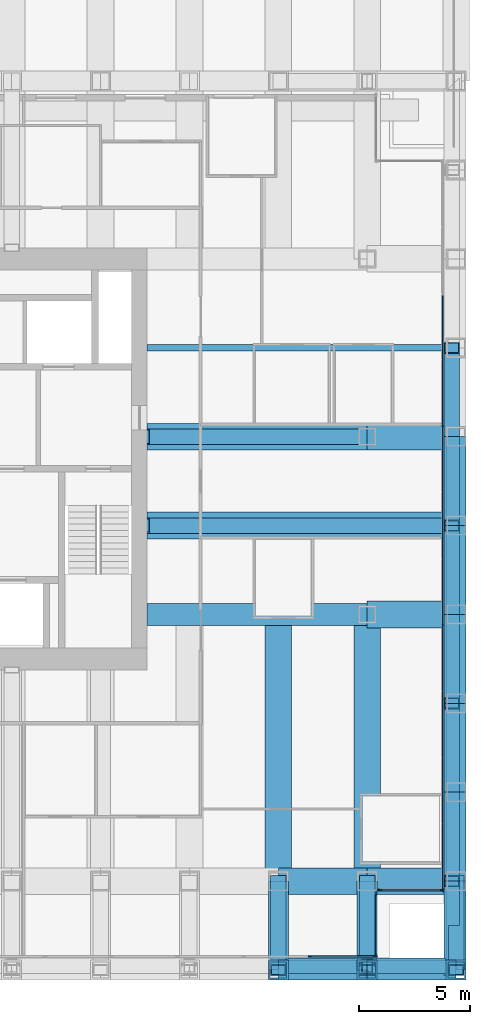
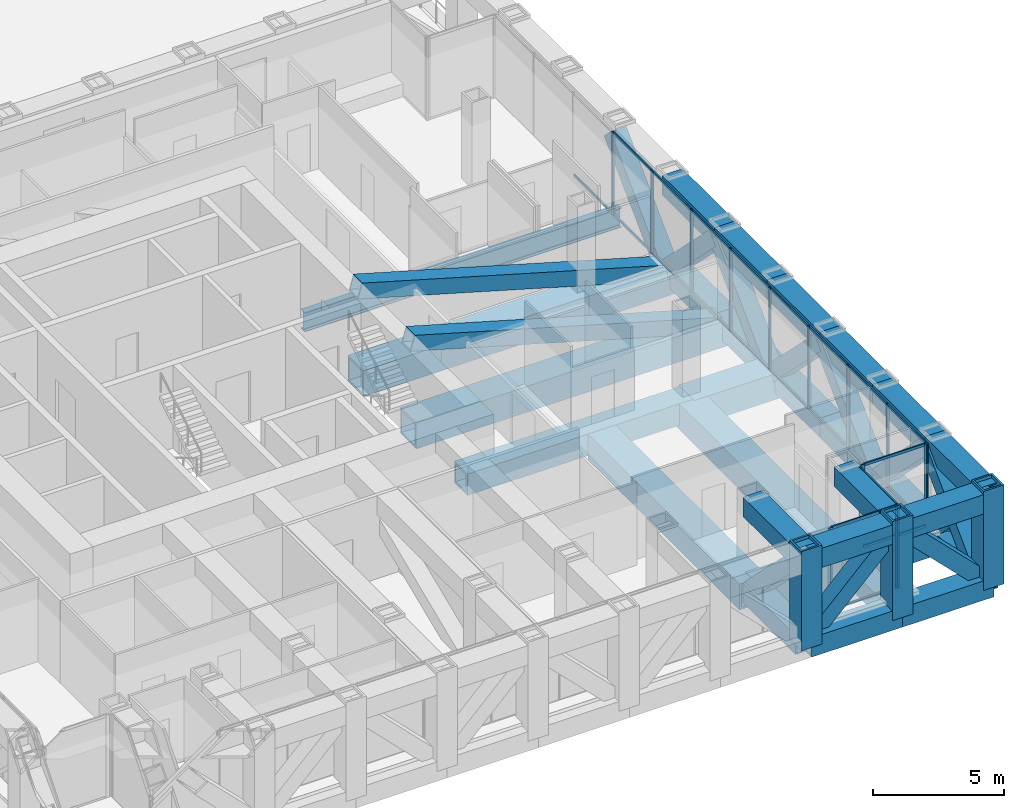
# One storey, part 5 of 17: 55 members, 30 beams, 4 elements without a shape of their own.
"""IFC4 building model written with IfcOpenShell, lengths in metres."""

import ifcopenshell
import ifcopenshell.guid

model = None  # the IFC model being written
_history = None  # IfcOwnerHistory: only IFC2X3 demands one
_inside = {}  # id of a spatial element -> (the spatial element, [elements in it])
_under = {}  # id of a project, library or spatial element -> (it, [spatial elements below it])
_declared = {}  # id of a project -> (the project, [libraries it declares])
_typed = {}  # id of a type object -> (the type object, [elements of that type])
_made_of = {}  # id of a material, layer set ... -> (it, [elements and type objects made of it])


def new_model(schema):
    """Start an empty IFC model of exactly this schema.

    Asked for "IFC4X3", IfcOpenShell would pick the latest addendum, in which some entities
    have other attributes; the version numbers below select the first issue.
    IFC2X3 requires an IfcOwnerHistory on every rooted entity: one is made here for all.
    """
    global model, _history
    if schema == "IFC4X3":
        model = ifcopenshell.file(schema_version=(4, 3, 0, 0))
    else:
        model = ifcopenshell.file(schema=schema)
    _inside.clear()
    _under.clear()
    _declared.clear()
    _typed.clear()
    _made_of.clear()
    _history = None
    if model.schema == "IFC2X3":
        org = make("IfcOrganization", Name="unknown")
        user = make(
            "IfcPersonAndOrganization",
            ThePerson=make("IfcPerson", FamilyName="unknown"),
            TheOrganization=org,
        )
        app = make(
            "IfcApplication",
            ApplicationDeveloper=org,
            Version="unknown",
            ApplicationFullName="unknown",
            ApplicationIdentifier="unknown",
        )
        _history = make(
            "IfcOwnerHistory",
            OwningUser=user,
            OwningApplication=app,
            ChangeAction="ADDED",
            CreationDate=0,
        )
    return model


def make(cls, **values):
    """One entity of the class cls with the attributes given. An attribute that is None is left unset."""
    return model.create_entity(
        cls, **{name: value for name, value in values.items() if value is not None}
    )


def rooted(cls, **values):
    """An entity with a GlobalId (a new one), such as an element, a storey or a relation."""
    return make(cls, GlobalId=ifcopenshell.guid.new(), OwnerHistory=_history, **values)


def si_unit(unit_type, name, prefix=None):
    """IfcSIUnit, for example si_unit("LENGTHUNIT", "METRE", prefix="MILLI")."""
    return make("IfcSIUnit", UnitType=unit_type, Prefix=prefix, Name=name)


def assignment(units):
    """IfcUnitAssignment: the units of a project."""
    return None if units is None else make("IfcUnitAssignment", Units=units)


def point(xyz):
    """IfcCartesianPoint."""
    return None if xyz is None else make("IfcCartesianPoint", Coordinates=xyz)


def direction(xyz):
    """IfcDirection."""
    return None if xyz is None else make("IfcDirection", DirectionRatios=xyz)


def frame(location, z_axis=None, x_axis=None):
    """IfcAxis2Placement3D, a coordinate frame: its origin and axes. An axis left out is left unset."""
    return make(
        "IfcAxis2Placement3D",
        Location=point(location),
        Axis=direction(z_axis),
        RefDirection=direction(x_axis),
    )


def frame_2d(location, x_axis=None):
    """IfcAxis2Placement2D, a coordinate frame in the plane: its origin and x axis."""
    return make(
        "IfcAxis2Placement2D", Location=point(location), RefDirection=direction(x_axis)
    )


def origin():
    """The frame at (0, 0, 0) with its axes left unset."""
    return frame((0.0, 0.0, 0.0))


def origin_2d():
    """The frame at (0, 0) in the plane with its x axis left unset."""
    return frame_2d((0.0, 0.0))


def place(relative_to, where):
    """IfcLocalPlacement: puts the frame where relative to a parent placement (None: the world)."""
    return make(
        "IfcLocalPlacement", PlacementRelTo=relative_to, RelativePlacement=where
    )


def context(
    kind, dimensions, precision=None, world=None, true_north=None, identifier=None
):
    """IfcGeometricRepresentationContext, for example the 3D "Model" context."""
    return make(
        "IfcGeometricRepresentationContext",
        ContextIdentifier=identifier,
        ContextType=kind,
        CoordinateSpaceDimension=dimensions,
        Precision=precision,
        WorldCoordinateSystem=world,
        TrueNorth=true_north,
    )


def subcontext(parent, identifier, kind, view, scale=None):
    """IfcGeometricRepresentationSubContext, for example "Body" below "Model"."""
    return make(
        "IfcGeometricRepresentationSubContext",
        ContextIdentifier=identifier,
        ContextType=kind,
        ParentContext=parent,
        TargetScale=scale,
        TargetView=view,
    )


def project(units=None, contexts=None):
    """IfcProject with its units and contexts."""
    return rooted(
        "IfcProject",
        Name="project",
        RepresentationContexts=contexts,
        UnitsInContext=assignment(units),
    )


def spatial(cls, under=None, at=None, **own):
    """A site, building, storey or space (cls), placed at a placement, below another one or the project."""
    s = rooted(cls, ObjectPlacement=at, **own)
    if under is not None:
        _under.setdefault(under.id(), (under, []))[1].append(s)
    return s


def profile(cls, at=None, kind="AREA", **sizes):
    """A parametric profile (cls). Its sizes go by their IFC names, for example OverallWidth=200.0."""
    return make(cls, ProfileType=kind, Position=at, **sizes)


def rectangle(**sizes):
    """IfcRectangleProfileDef."""
    return profile("IfcRectangleProfileDef", **sizes)


def hollow_rectangle(**sizes):
    """IfcRectangleHollowProfileDef."""
    return profile("IfcRectangleHollowProfileDef", **sizes)


def i_section(**sizes):
    """IfcIShapeProfileDef."""
    return profile("IfcIShapeProfileDef", **sizes)


def extrude(swept, where, along, depth):
    """IfcExtrudedAreaSolid: the profile swept, set in the frame where, extruded along a direction by depth."""
    return make(
        "IfcExtrudedAreaSolid",
        SweptArea=swept,
        Position=where,
        ExtrudedDirection=direction(along),
        Depth=depth,
    )


def shape(context_of_items, identifier, shape_type, items):
    """IfcShapeRepresentation: the items that make up one representation, for example the "Body"."""
    return make(
        "IfcShapeRepresentation",
        ContextOfItems=context_of_items,
        RepresentationIdentifier=identifier,
        RepresentationType=shape_type,
        Items=items,
    )


def material(Name=None, Category=None):
    """IfcMaterial."""
    return make("IfcMaterial", Name=Name, Category=Category)


def material_profile(
    of_material, cross_section, Name=None, Category=None, Priority=None
):
    """IfcMaterialProfile: a cross section and its material."""
    return make(
        "IfcMaterialProfile",
        Name=Name,
        Material=of_material,
        Profile=cross_section,
        Priority=Priority,
        Category=Category,
    )


def profile_set(profiles, Name=None, composite=None):
    """IfcMaterialProfileSet."""
    return make(
        "IfcMaterialProfileSet",
        Name=Name,
        MaterialProfiles=profiles,
        CompositeProfile=composite,
    )


def made_of(thing, what):
    """Note that an element or type object is made of a material, layer set ...; save() writes the relation."""
    if what is not None:
        _made_of.setdefault(what.id(), (what, []))[1].append(thing)
    return thing


def type_object(cls, material=None, **own):
    """A type object (cls), such as IfcWallType, which elements share."""
    return made_of(rooted(cls, **own), material)


def element(
    cls,
    number,
    at=None,
    inside=None,
    cuts=None,
    type_object=None,
    material=None,
    context=None,
    identifier="Body",
    shape_type=None,
    held_by="IfcProductDefinitionShape",
    body=None,
    shapes=None,
    **own,
):
    """One element of the class cls, such as IfcWall. Its Tag is "e" and its number.

    at: its placement. inside: the storey or other place that contains it. cuts: it is an
    opening in that element (IfcRelVoidsElement). A single representation is given by context,
    identifier, shape_type and body (its items); several are given by shapes. held_by: the class
    of the entity that holds the representations. save() writes the other relations.
    """
    e = rooted(cls, Tag="e%d" % number, ObjectPlacement=at, **own)
    if body is not None:
        shapes = [shape(context, identifier, shape_type, body)]
    if shapes is not None:
        e.Representation = make(held_by, Representations=shapes)
    if inside is not None:
        _inside.setdefault(inside.id(), (inside, []))[1].append(e)
    if cuts is not None:
        rooted(
            "IfcRelVoidsElement", RelatingBuildingElement=cuts, RelatedOpeningElement=e
        )
    if type_object is not None:
        _typed.setdefault(type_object.id(), (type_object, []))[1].append(e)
    return made_of(e, material)


def aggregate(whole, parts):
    """IfcRelAggregates: a whole, such as a stair, and the parts it consists of."""
    return rooted("IfcRelAggregates", RelatingObject=whole, RelatedObjects=parts)


def save(model, path):
    """Write the relations noted so far, then the file.

    IfcRelAggregates (storeys below a building ...), IfcRelContainedInSpatialStructure (elements
    in a storey), IfcRelDefinesByType, IfcRelAssociatesMaterial and IfcRelDeclares: one each for
    every whole, place, type object, material and project.
    """
    for whole, parts in _under.values():
        aggregate(whole, parts)
    for where, things in _inside.values():
        rooted(
            "IfcRelContainedInSpatialStructure",
            RelatedElements=things,
            RelatingStructure=where,
        )
    for kind, things in _typed.values():
        rooted("IfcRelDefinesByType", RelatedObjects=things, RelatingType=kind)
    for what, things in _made_of.values():
        rooted("IfcRelAssociatesMaterial", RelatedObjects=things, RelatingMaterial=what)
    for by, libraries in _declared.values():
        rooted("IfcRelDeclares", RelatingContext=by, RelatedDefinitions=libraries)
    model.write(path)


model = new_model("IFC4")

# Units and contexts
model_context = context("Model", 3, precision=1e-05, world=origin(), true_north=direction((0.0, 1.0)))
body_context = subcontext(model_context, "Body", "Model", "MODEL_VIEW")
ifc_project = project(units=[si_unit("LENGTHUNIT", "METRE"), si_unit("AREAUNIT", "SQUARE_METRE"), si_unit("VOLUMEUNIT", "CUBIC_METRE"), si_unit("PLANEANGLEUNIT", "RADIAN"), si_unit("MASSUNIT", "GRAM", prefix="KILO")], contexts=[model_context])

# Site, building, storey
site_placement = place(None, origin())
site = spatial("IfcSite", under=ifc_project, at=site_placement, CompositionType="ELEMENT")
building_placement = place(site_placement, origin())
building = spatial("IfcBuilding", under=site, at=building_placement, Name="Rimbunsela Tower", CompositionType="ELEMENT")
storey_placement = place(building_placement, frame((0.0, 0.0, 238.199951171875)))
storey = spatial("IfcBuildingStorey", under=building, at=storey_placement, Name="L57", CompositionType="ELEMENT", Elevation=238.199951171875)

# Beams
ifc_material_1 = material(Name="Steel BJ 55 (fy 410 MPa)", Category="steel")
ifc_material_profile_1 = material_profile(ifc_material_1, hollow_rectangle(XDim=1.0, YDim=1.0, WallThickness=0.10009765625, at=origin_2d()), Name="BOX 1000x1000x100")
ifc_profile_set_1 = profile_set([ifc_material_profile_1], Name="Steel BJ 55 (fy 410 MPa)")
beam_type_1 = type_object("IfcBeamType", Name="Beam BOX 1000x1000x100", PredefinedType="BEAM", material=ifc_profile_set_1)
beam_1_placement = place(storey_placement, frame((36.10009765625, 20.0, -0.64990234375), z_axis=(1.0, 0.0, 0.0), x_axis=(0.0, 1.0, 0.0)))
element("IfcBeam", 1, at=beam_1_placement, inside=storey, type_object=beam_type_1, Name="Beam B3 L57", PredefinedType="BEAM", context=body_context, shape_type="SweptSolid", body=[
    extrude(hollow_rectangle(XDim=1.0, YDim=1.0, WallThickness=0.10009765625, at=origin_2d()), origin(), (0.0, 0.0, 1.0), 9.89990234375),
])
ifc_material_2 = material(Name="Steel BJ 55 (fy 410 MPa)", Category="steel")
ifc_material_profile_2 = material_profile(ifc_material_2, hollow_rectangle(XDim=1.199951171875, YDim=1.199951171875, WallThickness=0.10009765625, at=origin_2d()), Name="BOX 1200x1200x100")
ifc_profile_set_2 = profile_set([ifc_material_profile_2], Name="Steel BJ 55 (fy 410 MPa)")
beam_type_2 = type_object("IfcBeamType", Name="Beam BOX 1200x1200x100", PredefinedType="BEAM", material=ifc_profile_set_2)
beam_2_placement = place(storey_placement, frame((36.10009765625, 24.0, -0.75), z_axis=(1.0, 0.0, 0.0), x_axis=(0.0, 1.0, 0.0)))
element("IfcBeam", 2, at=beam_2_placement, inside=storey, type_object=beam_type_2, Name="Beam B5 L57", PredefinedType="BEAM", context=body_context, shape_type="SweptSolid", body=[
    extrude(hollow_rectangle(XDim=1.199951171875, YDim=1.199951171875, WallThickness=0.10009765625, at=origin_2d()), origin(), (0.0, 0.0, 1.0), 13.89990234375),
])
beam_3_placement = place(storey_placement, frame((36.10009765625, 28.0, -0.75), z_axis=(1.0, 0.0, 0.0), x_axis=(0.0, 1.0, 0.0)))
element("IfcBeam", 3, at=beam_3_placement, inside=storey, type_object=beam_type_2, Name="Beam B5 L57", PredefinedType="BEAM", context=body_context, shape_type="SweptSolid", body=[
    extrude(hollow_rectangle(XDim=1.199951171875, YDim=1.199951171875, WallThickness=0.10009765625, at=origin_2d()), origin(), (0.0, 0.0, 1.0), 9.89990234375),
])
beam_4_placement = place(storey_placement, frame((42.0, 8.0, -0.75), z_axis=(0.0, 1.0, 0.0), x_axis=(-1.0, 0.0, 0.0)))
element("IfcBeam", 4, at=beam_4_placement, inside=storey, type_object=beam_type_2, Name="Beam B5 L57", PredefinedType="BEAM", context=body_context, shape_type="SweptSolid", body=[
    extrude(hollow_rectangle(XDim=1.199951171875, YDim=1.199951171875, WallThickness=0.10009765625, at=origin_2d()), origin(), (0.0, 0.0, 1.0), 11.5),
])
ifc_material_3 = material(Name="Steel BJ 55 (fy 410 MPa)", Category="steel")
ifc_material_profile_3 = material_profile(ifc_material_3, hollow_rectangle(XDim=1.199951171875, YDim=1.199951171875, WallThickness=0.125, at=origin_2d()), Name="BOX 1200x1200x125")
ifc_profile_set_3 = profile_set([ifc_material_profile_3], Name="Steel BJ 55 (fy 410 MPa)")
beam_type_3 = type_object("IfcBeamType", Name="Beam BOX 1200x1200x125", PredefinedType="BEAM", material=ifc_profile_set_3)
beam_5_placement = place(storey_placement, frame((42.0, 8.0, -0.75), z_axis=(1.0, 0.0, 0.0), x_axis=(0.0, 1.0, 0.0)))
element("IfcBeam", 5, at=beam_5_placement, inside=storey, type_object=beam_type_3, Name="Beam B4 L57", PredefinedType="BEAM", context=body_context, shape_type="SweptSolid", body=[
    extrude(hollow_rectangle(XDim=1.199951171875, YDim=1.199951171875, WallThickness=0.125, at=origin_2d()), origin(), (0.0, 0.0, 1.0), 4.0),
])
beam_6_placement = place(storey_placement, frame((46.0, 8.0, -0.75), z_axis=(0.0, 1.0, 0.0), x_axis=(-1.0, 0.0, 0.0)))
element("IfcBeam", 6, at=beam_6_placement, inside=storey, type_object=beam_type_3, Name="Beam B4 L57", PredefinedType="BEAM", context=body_context, shape_type="SweptSolid", body=[
    extrude(hollow_rectangle(XDim=1.199951171875, YDim=1.199951171875, WallThickness=0.125, at=origin_2d()), origin(), (0.0, 0.0, 1.0), 12.0),
])
for number, where, z_axis, x_axis, name in (
    (7, (46.0, 8.0, -0.75), (1.0, 0.0, 0.0), (0.0, 1.0, 0.0), "Beam B4 L57"),
    (8, (46.0, 20.0, -0.75), (1.0, 0.0, 0.0), (0.0, 1.0, 0.0), "Beam B4 L57"),
    (9, (46.0, 28.0, -0.75), (1.0, 0.0, 0.0), (0.0, 1.0, 0.0), "Beam B4 L57"),
):
    element("IfcBeam", number, at=place(storey_placement, frame(where, z_axis=z_axis, x_axis=x_axis)), inside=storey, type_object=beam_type_3, Name=name, PredefinedType="BEAM", context=body_context, shape_type="SweptSolid", body=[
        extrude(hollow_rectangle(XDim=1.199951171875, YDim=1.199951171875, WallThickness=0.125, at=origin_2d()), origin(), (0.0, 0.0, 1.0), 4.0),
    ])
ifc_material_4 = material(Name="Steel BJ 55 (fy 410 MPa)", Category="steel")
ifc_material_profile_4 = material_profile(ifc_material_4, i_section(OverallWidth=0.300048828125, OverallDepth=0.89990234375, WebThickness=0.01611328125, FlangeThickness=0.028076171875, FilletRadius=0.028076171875, at=origin_2d()), Name="H 900x300x16x28")
ifc_profile_set_4 = profile_set([ifc_material_profile_4], Name="Steel BJ 55 (fy 410 MPa)")
beam_type_4 = type_object("IfcBeamType", Name="Beam H 900x300x16x28", PredefinedType="BEAM", material=ifc_profile_set_4)
beam_7_placement = place(storey_placement, frame((36.10009765625, 32.0, -0.599853515625), z_axis=(1.0, 0.0, 0.0), x_axis=(0.0, 1.0, 0.0)))
element("IfcBeam", 10, at=beam_7_placement, inside=storey, type_object=beam_type_4, Name="Beam B2 L57", PredefinedType="BEAM", context=body_context, shape_type="SweptSolid", body=[
    extrude(i_section(OverallWidth=0.300048828125, OverallDepth=0.89990234375, WebThickness=0.01611328125, FlangeThickness=0.028076171875, FilletRadius=0.028076171875, at=origin_2d()), origin(), (0.0, 0.0, 1.0), 13.89990234375),
])

# Curtain wall, members
ifc_material_5 = material(Name="Aluminium curtain wall", Category="aluminium")
curtain_wall_type_1 = type_object("IfcCurtainWallType", Name="Spandrel wall", PredefinedType="USERDEFINED", material=ifc_material_5)
curtain_wall_1_placement = place(storey_placement, origin())
curtain_wall_1 = element("IfcCurtainWall", 11, at=curtain_wall_1_placement, inside=storey, type_object=curtain_wall_type_1, Name="Spandrel wall L57", ObjectType="SPANDREL WALL", PredefinedType="USERDEFINED")
ifc_material_6 = material(Name="Aluminium mullion", Category="aluminium")
ifc_material_profile_5 = material_profile(ifc_material_6, rectangle(XDim=0.06005859375, YDim=0.159912109375, at=origin_2d()), Name="Mullion 60x160")
ifc_profile_set_5 = profile_set([ifc_material_profile_5], Name="Aluminium mullion")
member_type_1 = type_object("IfcMemberType", Name="Curtain wall mullion 60x160", PredefinedType="MULLION", material=ifc_profile_set_5)
member_1_placement = place(storey_placement, frame((46.39990234375, 4.6298828125, 0.0), z_axis=(0.0, 0.0, 1.0), x_axis=(-1.0, 0.0, 0.0)))
member_1 = element("IfcMember", 12, at=member_1_placement, type_object=member_type_1, Name="CW7 mullion 1", PredefinedType="MULLION", context=body_context, shape_type="SweptSolid", body=[
    extrude(rectangle(XDim=0.06005859375, YDim=0.159912109375, at=origin_2d()), origin(), (0.0, 0.0, 1.0), 3.85009765625),
])
member_2_placement = place(storey_placement, frame((46.39990234375, 7.419921875, 0.0), z_axis=(0.0, 0.0, 1.0), x_axis=(-1.0, 0.0, 0.0)))
member_2 = element("IfcMember", 13, at=member_2_placement, type_object=member_type_1, Name="CW7 mullion 2", PredefinedType="MULLION", context=body_context, shape_type="SweptSolid", body=[
    extrude(rectangle(XDim=0.06005859375, YDim=0.159912109375, at=origin_2d()), origin(), (0.0, 0.0, 1.0), 3.85009765625),
])

ifc_material_7 = material(Name="Aluminium curtain wall", Category="aluminium")
curtain_wall_type_2 = type_object("IfcCurtainWallType", Name="Corner glazing", PredefinedType="USERDEFINED", material=ifc_material_7)
curtain_wall_2_placement = place(storey_placement, origin())
curtain_wall_2 = element("IfcCurtainWall", 14, at=curtain_wall_2_placement, inside=storey, type_object=curtain_wall_type_2, Name="Corner glazing L57", ObjectType="CORNER GLAZING", PredefinedType="USERDEFINED")
member_3_placement = place(storey_placement, frame((46.580078125, 7.60009765625, 0.0), z_axis=(0.0, 0.0, 1.0), x_axis=(0.0, 1.0, 0.0)))
member_3 = element("IfcMember", 15, at=member_3_placement, type_object=member_type_1, Name="CW5 mullion 1", PredefinedType="MULLION", context=body_context, shape_type="SweptSolid", body=[
    extrude(rectangle(XDim=0.06005859375, YDim=0.159912109375, at=origin_2d()), origin(), (0.0, 0.0, 1.0), 3.85009765625),
])
member_4_placement = place(storey_placement, frame((49.3701171875, 7.60009765625, 0.0), z_axis=(0.0, 0.0, 1.0), x_axis=(0.0, 1.0, 0.0)))
member_4 = element("IfcMember", 16, at=member_4_placement, type_object=member_type_1, Name="CW5 mullion 2", PredefinedType="MULLION", context=body_context, shape_type="SweptSolid", body=[
    extrude(rectangle(XDim=0.06005859375, YDim=0.159912109375, at=origin_2d()), origin(), (0.0, 0.0, 1.0), 3.85009765625),
])

ifc_material_8 = material(Name="Aluminium curtain wall", Category="aluminium")
curtain_wall_type_3 = type_object("IfcCurtainWallType", Name="Exoskeleton storey infill", PredefinedType="USERDEFINED", material=ifc_material_8)
curtain_wall_3_placement = place(storey_placement, origin())
curtain_wall_3 = element("IfcCurtainWall", 17, at=curtain_wall_3_placement, inside=storey, type_object=curtain_wall_type_3, Name="Exoskeleton storey infill L57", ObjectType="EXOSKELETON STOREY INFILL", PredefinedType="USERDEFINED")
member_5_placement = place(storey_placement, frame((49.39990234375, 7.6298828125, 0.0), z_axis=(0.0, 0.0, 1.0), x_axis=(-1.0, 0.0, 0.0)))
member_5 = element("IfcMember", 18, at=member_5_placement, type_object=member_type_1, Name="CW2 mullion 1", PredefinedType="MULLION", context=body_context, shape_type="SweptSolid", body=[
    extrude(rectangle(XDim=0.06005859375, YDim=0.159912109375, at=origin_2d()), origin(), (0.0, 0.0, 1.0), 3.85009765625),
])
member_6_placement = place(storey_placement, frame((49.39990234375, 10.581787109375, 0.0), z_axis=(0.0, 0.0, 1.0), x_axis=(-1.0, 0.0, 0.0)))
member_6 = element("IfcMember", 19, at=member_6_placement, type_object=member_type_1, Name="CW2 mullion 2", PredefinedType="MULLION", context=body_context, shape_type="SweptSolid", body=[
    extrude(rectangle(XDim=0.06005859375, YDim=0.159912109375, at=origin_2d()), origin(), (0.0, 0.0, 1.0), 3.85009765625),
])
member_7_placement = place(storey_placement, frame((49.39990234375, 13.563720703125, 0.0), z_axis=(0.0, 0.0, 1.0), x_axis=(-1.0, 0.0, 0.0)))
member_7 = element("IfcMember", 20, at=member_7_placement, type_object=member_type_1, Name="CW2 mullion 3", PredefinedType="MULLION", context=body_context, shape_type="SweptSolid", body=[
    extrude(rectangle(XDim=0.06005859375, YDim=0.159912109375, at=origin_2d()), origin(), (0.0, 0.0, 1.0), 3.85009765625),
])
member_8_placement = place(storey_placement, frame((49.39990234375, 16.54541015625, 0.0), z_axis=(0.0, 0.0, 1.0), x_axis=(-1.0, 0.0, 0.0)))
member_8 = element("IfcMember", 21, at=member_8_placement, type_object=member_type_1, Name="CW2 mullion 4", PredefinedType="MULLION", context=body_context, shape_type="SweptSolid", body=[
    extrude(rectangle(XDim=0.06005859375, YDim=0.159912109375, at=origin_2d()), origin(), (0.0, 0.0, 1.0), 3.85009765625),
])
member_9_placement = place(storey_placement, frame((49.39990234375, 19.52734375, 0.0), z_axis=(0.0, 0.0, 1.0), x_axis=(-1.0, 0.0, 0.0)))
member_9 = element("IfcMember", 22, at=member_9_placement, type_object=member_type_1, Name="CW2 mullion 5", PredefinedType="MULLION", context=body_context, shape_type="SweptSolid", body=[
    extrude(rectangle(XDim=0.06005859375, YDim=0.159912109375, at=origin_2d()), origin(), (0.0, 0.0, 1.0), 3.85009765625),
])
member_10_placement = place(storey_placement, frame((49.39990234375, 22.509033203125, 0.0), z_axis=(0.0, 0.0, 1.0), x_axis=(-1.0, 0.0, 0.0)))
member_10 = element("IfcMember", 23, at=member_10_placement, type_object=member_type_1, Name="CW2 mullion 6", PredefinedType="MULLION", context=body_context, shape_type="SweptSolid", body=[
    extrude(rectangle(XDim=0.06005859375, YDim=0.159912109375, at=origin_2d()), origin(), (0.0, 0.0, 1.0), 3.85009765625),
])
member_11_placement = place(storey_placement, frame((49.39990234375, 25.490966796875, 0.0), z_axis=(0.0, 0.0, 1.0), x_axis=(-1.0, 0.0, 0.0)))
member_11 = element("IfcMember", 24, at=member_11_placement, type_object=member_type_1, Name="CW2 mullion 7", PredefinedType="MULLION", context=body_context, shape_type="SweptSolid", body=[
    extrude(rectangle(XDim=0.06005859375, YDim=0.159912109375, at=origin_2d()), origin(), (0.0, 0.0, 1.0), 3.85009765625),
])
member_12_placement = place(storey_placement, frame((49.39990234375, 28.47265625, 0.0), z_axis=(0.0, 0.0, 1.0), x_axis=(-1.0, 0.0, 0.0)))
member_12 = element("IfcMember", 25, at=member_12_placement, type_object=member_type_1, Name="CW2 mullion 8", PredefinedType="MULLION", context=body_context, shape_type="SweptSolid", body=[
    extrude(rectangle(XDim=0.06005859375, YDim=0.159912109375, at=origin_2d()), origin(), (0.0, 0.0, 1.0), 3.85009765625),
])
member_13_placement = place(storey_placement, frame((49.39990234375, 31.45458984375, 0.0), z_axis=(0.0, 0.0, 1.0), x_axis=(-1.0, 0.0, 0.0)))
member_13 = element("IfcMember", 26, at=member_13_placement, type_object=member_type_1, Name="CW2 mullion 9", PredefinedType="MULLION", context=body_context, shape_type="SweptSolid", body=[
    extrude(rectangle(XDim=0.06005859375, YDim=0.159912109375, at=origin_2d()), origin(), (0.0, 0.0, 1.0), 3.85009765625),
])

curtain_wall_4_placement = place(storey_placement, origin())
curtain_wall_4 = element("IfcCurtainWall", 27, at=curtain_wall_4_placement, inside=storey, type_object=curtain_wall_type_3, Name="Exoskeleton storey infill L57", ObjectType="EXOSKELETON STOREY INFILL", PredefinedType="USERDEFINED")
member_14_placement = place(storey_placement, frame((43.418212890625, 4.60009765625, 0.0), z_axis=(0.0, 0.0, 1.0), x_axis=(0.0, 1.0, 0.0)))
member_14 = element("IfcMember", 28, at=member_14_placement, type_object=member_type_1, Name="CW2 mullion 11", PredefinedType="MULLION", context=body_context, shape_type="SweptSolid", body=[
    extrude(rectangle(XDim=0.06005859375, YDim=0.159912109375, at=origin_2d()), origin(), (0.0, 0.0, 1.0), 3.85009765625),
])
member_15_placement = place(storey_placement, frame((46.3701171875, 4.60009765625, 0.0), z_axis=(0.0, 0.0, 1.0), x_axis=(0.0, 1.0, 0.0)))
member_15 = element("IfcMember", 29, at=member_15_placement, type_object=member_type_1, Name="CW2 mullion 12", PredefinedType="MULLION", context=body_context, shape_type="SweptSolid", body=[
    extrude(rectangle(XDim=0.06005859375, YDim=0.159912109375, at=origin_2d()), origin(), (0.0, 0.0, 1.0), 3.85009765625),
])

# Member
ifc_material_9 = material(Name="Aluminium transom", Category="aluminium")
ifc_material_profile_6 = material_profile(ifc_material_9, rectangle(XDim=0.06005859375, YDim=0.1201171875, at=origin_2d()), Name="Transom 60x120")
ifc_profile_set_6 = profile_set([ifc_material_profile_6], Name="Aluminium transom")
member_type_2 = type_object("IfcMemberType", Name="Curtain wall transom 60x120", PredefinedType="USERDEFINED", material=ifc_profile_set_6)
member_16_placement = place(storey_placement, frame((46.39990234375, 4.659912109375, 0.030029296875), z_axis=(0.0, 1.0, 0.0), x_axis=(-1.0, 0.0, 0.0)))
member_16 = element("IfcMember", 30, at=member_16_placement, type_object=member_type_2, Name="CW7 transom 1.1", ObjectType="TRANSOM", PredefinedType="USERDEFINED", context=body_context, shape_type="SweptSolid", body=[
    extrude(rectangle(XDim=0.06005859375, YDim=0.1201171875, at=origin_2d()), origin(), (0.0, 0.0, 1.0), 2.72998046875),
])

member_17_placement = place(storey_placement, frame((46.39990234375, 4.659912109375, 3.820068359375), z_axis=(0.0, 1.0, 0.0), x_axis=(-1.0, 0.0, 0.0)))
member_17 = element("IfcMember", 31, at=member_17_placement, type_object=member_type_2, Name="CW7 transom 1.2", ObjectType="TRANSOM", PredefinedType="USERDEFINED", context=body_context, shape_type="SweptSolid", body=[
    extrude(rectangle(XDim=0.06005859375, YDim=0.1201171875, at=origin_2d()), origin(), (0.0, 0.0, 1.0), 2.72998046875),
])

aggregate(curtain_wall_1, [member_1, member_2, member_16, member_17])

member_18_placement = place(storey_placement, frame((46.610107421875, 7.60009765625, 0.030029296875), z_axis=(1.0, 0.0, 0.0), x_axis=(0.0, 1.0, 0.0)))
member_18 = element("IfcMember", 32, at=member_18_placement, type_object=member_type_2, Name="CW5 transom 1.1", ObjectType="TRANSOM", PredefinedType="USERDEFINED", context=body_context, shape_type="SweptSolid", body=[
    extrude(rectangle(XDim=0.06005859375, YDim=0.1201171875, at=origin_2d()), origin(), (0.0, 0.0, 1.0), 2.72998046875),
])

member_19_placement = place(storey_placement, frame((46.610107421875, 7.60009765625, 3.820068359375), z_axis=(1.0, 0.0, 0.0), x_axis=(0.0, 1.0, 0.0)))
member_19 = element("IfcMember", 33, at=member_19_placement, type_object=member_type_2, Name="CW5 transom 1.2", ObjectType="TRANSOM", PredefinedType="USERDEFINED", context=body_context, shape_type="SweptSolid", body=[
    extrude(rectangle(XDim=0.06005859375, YDim=0.1201171875, at=origin_2d()), origin(), (0.0, 0.0, 1.0), 2.72998046875),
])

aggregate(curtain_wall_2, [member_3, member_4, member_18, member_19])

member_20_placement = place(storey_placement, frame((49.39990234375, 7.659912109375, 0.030029296875), z_axis=(0.0, 1.0, 0.0), x_axis=(-1.0, 0.0, 0.0)))
member_20 = element("IfcMember", 34, at=member_20_placement, type_object=member_type_2, Name="CW2 transom 1.1", ObjectType="TRANSOM", PredefinedType="USERDEFINED", context=body_context, shape_type="SweptSolid", body=[
    extrude(rectangle(XDim=0.06005859375, YDim=0.1201171875, at=origin_2d()), origin(), (0.0, 0.0, 1.0), 2.891845703125),
])

member_21_placement = place(storey_placement, frame((49.39990234375, 7.659912109375, 3.820068359375), z_axis=(0.0, 1.0, 0.0), x_axis=(-1.0, 0.0, 0.0)))
member_21 = element("IfcMember", 35, at=member_21_placement, type_object=member_type_2, Name="CW2 transom 1.2", ObjectType="TRANSOM", PredefinedType="USERDEFINED", context=body_context, shape_type="SweptSolid", body=[
    extrude(rectangle(XDim=0.06005859375, YDim=0.1201171875, at=origin_2d()), origin(), (0.0, 0.0, 1.0), 2.891845703125),
])

member_22_placement = place(storey_placement, frame((49.39990234375, 10.61181640625, 0.030029296875), z_axis=(0.0, 1.0, 0.0), x_axis=(-1.0, 0.0, 0.0)))
member_22 = element("IfcMember", 36, at=member_22_placement, type_object=member_type_2, Name="CW2 transom 2.1", ObjectType="TRANSOM", PredefinedType="USERDEFINED", context=body_context, shape_type="SweptSolid", body=[
    extrude(rectangle(XDim=0.06005859375, YDim=0.1201171875, at=origin_2d()), origin(), (0.0, 0.0, 1.0), 2.921875),
])

member_23_placement = place(storey_placement, frame((49.39990234375, 10.61181640625, 3.820068359375), z_axis=(0.0, 1.0, 0.0), x_axis=(-1.0, 0.0, 0.0)))
member_23 = element("IfcMember", 37, at=member_23_placement, type_object=member_type_2, Name="CW2 transom 2.2", ObjectType="TRANSOM", PredefinedType="USERDEFINED", context=body_context, shape_type="SweptSolid", body=[
    extrude(rectangle(XDim=0.06005859375, YDim=0.1201171875, at=origin_2d()), origin(), (0.0, 0.0, 1.0), 2.921875),
])

member_24_placement = place(storey_placement, frame((49.39990234375, 13.59375, 0.030029296875), z_axis=(0.0, 1.0, 0.0), x_axis=(-1.0, 0.0, 0.0)))
member_24 = element("IfcMember", 38, at=member_24_placement, type_object=member_type_2, Name="CW2 transom 3.1", ObjectType="TRANSOM", PredefinedType="USERDEFINED", context=body_context, shape_type="SweptSolid", body=[
    extrude(rectangle(XDim=0.06005859375, YDim=0.1201171875, at=origin_2d()), origin(), (0.0, 0.0, 1.0), 2.921630859375),
])

member_25_placement = place(storey_placement, frame((49.39990234375, 13.59375, 3.820068359375), z_axis=(0.0, 1.0, 0.0), x_axis=(-1.0, 0.0, 0.0)))
member_25 = element("IfcMember", 39, at=member_25_placement, type_object=member_type_2, Name="CW2 transom 3.2", ObjectType="TRANSOM", PredefinedType="USERDEFINED", context=body_context, shape_type="SweptSolid", body=[
    extrude(rectangle(XDim=0.06005859375, YDim=0.1201171875, at=origin_2d()), origin(), (0.0, 0.0, 1.0), 2.921630859375),
])

member_26_placement = place(storey_placement, frame((49.39990234375, 16.575439453125, 0.030029296875), z_axis=(0.0, 1.0, 0.0), x_axis=(-1.0, 0.0, 0.0)))
member_26 = element("IfcMember", 40, at=member_26_placement, type_object=member_type_2, Name="CW2 transom 4.1", ObjectType="TRANSOM", PredefinedType="USERDEFINED", context=body_context, shape_type="SweptSolid", body=[
    extrude(rectangle(XDim=0.06005859375, YDim=0.1201171875, at=origin_2d()), origin(), (0.0, 0.0, 1.0), 2.921875),
])

member_27_placement = place(storey_placement, frame((49.39990234375, 16.575439453125, 3.820068359375), z_axis=(0.0, 1.0, 0.0), x_axis=(-1.0, 0.0, 0.0)))
member_27 = element("IfcMember", 41, at=member_27_placement, type_object=member_type_2, Name="CW2 transom 4.2", ObjectType="TRANSOM", PredefinedType="USERDEFINED", context=body_context, shape_type="SweptSolid", body=[
    extrude(rectangle(XDim=0.06005859375, YDim=0.1201171875, at=origin_2d()), origin(), (0.0, 0.0, 1.0), 2.921875),
])

member_28_placement = place(storey_placement, frame((49.39990234375, 19.557373046875, 0.030029296875), z_axis=(0.0, 1.0, 0.0), x_axis=(-1.0, 0.0, 0.0)))
member_28 = element("IfcMember", 42, at=member_28_placement, type_object=member_type_2, Name="CW2 transom 5.1", ObjectType="TRANSOM", PredefinedType="USERDEFINED", context=body_context, shape_type="SweptSolid", body=[
    extrude(rectangle(XDim=0.06005859375, YDim=0.1201171875, at=origin_2d()), origin(), (0.0, 0.0, 1.0), 2.921630859375),
])

member_29_placement = place(storey_placement, frame((49.39990234375, 19.557373046875, 3.820068359375), z_axis=(0.0, 1.0, 0.0), x_axis=(-1.0, 0.0, 0.0)))
member_29 = element("IfcMember", 43, at=member_29_placement, type_object=member_type_2, Name="CW2 transom 5.2", ObjectType="TRANSOM", PredefinedType="USERDEFINED", context=body_context, shape_type="SweptSolid", body=[
    extrude(rectangle(XDim=0.06005859375, YDim=0.1201171875, at=origin_2d()), origin(), (0.0, 0.0, 1.0), 2.921630859375),
])

member_30_placement = place(storey_placement, frame((49.39990234375, 22.5390625, 0.030029296875), z_axis=(0.0, 1.0, 0.0), x_axis=(-1.0, 0.0, 0.0)))
member_30 = element("IfcMember", 44, at=member_30_placement, type_object=member_type_2, Name="CW2 transom 6.1", ObjectType="TRANSOM", PredefinedType="USERDEFINED", context=body_context, shape_type="SweptSolid", body=[
    extrude(rectangle(XDim=0.06005859375, YDim=0.1201171875, at=origin_2d()), origin(), (0.0, 0.0, 1.0), 2.921875),
])

member_31_placement = place(storey_placement, frame((49.39990234375, 22.5390625, 3.820068359375), z_axis=(0.0, 1.0, 0.0), x_axis=(-1.0, 0.0, 0.0)))
member_31 = element("IfcMember", 45, at=member_31_placement, type_object=member_type_2, Name="CW2 transom 6.2", ObjectType="TRANSOM", PredefinedType="USERDEFINED", context=body_context, shape_type="SweptSolid", body=[
    extrude(rectangle(XDim=0.06005859375, YDim=0.1201171875, at=origin_2d()), origin(), (0.0, 0.0, 1.0), 2.921875),
])

member_32_placement = place(storey_placement, frame((49.39990234375, 25.52099609375, 0.030029296875), z_axis=(0.0, 1.0, 0.0), x_axis=(-1.0, 0.0, 0.0)))
member_32 = element("IfcMember", 46, at=member_32_placement, type_object=member_type_2, Name="CW2 transom 7.1", ObjectType="TRANSOM", PredefinedType="USERDEFINED", context=body_context, shape_type="SweptSolid", body=[
    extrude(rectangle(XDim=0.06005859375, YDim=0.1201171875, at=origin_2d()), origin(), (0.0, 0.0, 1.0), 2.921630859375),
])

member_33_placement = place(storey_placement, frame((49.39990234375, 25.52099609375, 3.820068359375), z_axis=(0.0, 1.0, 0.0), x_axis=(-1.0, 0.0, 0.0)))
member_33 = element("IfcMember", 47, at=member_33_placement, type_object=member_type_2, Name="CW2 transom 7.2", ObjectType="TRANSOM", PredefinedType="USERDEFINED", context=body_context, shape_type="SweptSolid", body=[
    extrude(rectangle(XDim=0.06005859375, YDim=0.1201171875, at=origin_2d()), origin(), (0.0, 0.0, 1.0), 2.921630859375),
])

member_34_placement = place(storey_placement, frame((49.39990234375, 28.502685546875, 0.030029296875), z_axis=(0.0, 1.0, 0.0), x_axis=(-1.0, 0.0, 0.0)))
member_34 = element("IfcMember", 48, at=member_34_placement, type_object=member_type_2, Name="CW2 transom 8.1", ObjectType="TRANSOM", PredefinedType="USERDEFINED", context=body_context, shape_type="SweptSolid", body=[
    extrude(rectangle(XDim=0.06005859375, YDim=0.1201171875, at=origin_2d()), origin(), (0.0, 0.0, 1.0), 2.921875),
])

member_35_placement = place(storey_placement, frame((49.39990234375, 28.502685546875, 3.820068359375), z_axis=(0.0, 1.0, 0.0), x_axis=(-1.0, 0.0, 0.0)))
member_35 = element("IfcMember", 49, at=member_35_placement, type_object=member_type_2, Name="CW2 transom 8.2", ObjectType="TRANSOM", PredefinedType="USERDEFINED", context=body_context, shape_type="SweptSolid", body=[
    extrude(rectangle(XDim=0.06005859375, YDim=0.1201171875, at=origin_2d()), origin(), (0.0, 0.0, 1.0), 2.921875),
])

member_36_placement = place(storey_placement, frame((49.39990234375, 31.484619140625, 0.030029296875), z_axis=(0.0, 1.0, 0.0), x_axis=(-1.0, 0.0, 0.0)))
member_36 = element("IfcMember", 50, at=member_36_placement, type_object=member_type_2, Name="CW2 transom 9.1", ObjectType="TRANSOM", PredefinedType="USERDEFINED", context=body_context, shape_type="SweptSolid", body=[
    extrude(rectangle(XDim=0.06005859375, YDim=0.1201171875, at=origin_2d()), origin(), (0.0, 0.0, 1.0), 2.921630859375),
])

aggregate(curtain_wall_3, [member_5, member_6, member_7, member_8, member_9, member_10, member_11, member_12, member_13, member_20, member_21, member_22, member_23, member_24, member_25, member_26, member_27, member_28, member_29, member_30, member_31, member_32, member_33, member_34, member_35, member_36])

member_37_placement = place(storey_placement, frame((43.4482421875, 4.60009765625, 0.030029296875), z_axis=(1.0, 0.0, 0.0), x_axis=(0.0, 1.0, 0.0)))
member_37 = element("IfcMember", 51, at=member_37_placement, type_object=member_type_2, Name="CW2 transom 11.1", ObjectType="TRANSOM", PredefinedType="USERDEFINED", context=body_context, shape_type="SweptSolid", body=[
    extrude(rectangle(XDim=0.06005859375, YDim=0.1201171875, at=origin_2d()), origin(), (0.0, 0.0, 1.0), 2.891845703125),
])

member_38_placement = place(storey_placement, frame((43.4482421875, 4.60009765625, 3.820068359375), z_axis=(1.0, 0.0, 0.0), x_axis=(0.0, 1.0, 0.0)))
member_38 = element("IfcMember", 52, at=member_38_placement, type_object=member_type_2, Name="CW2 transom 11.2", ObjectType="TRANSOM", PredefinedType="USERDEFINED", context=body_context, shape_type="SweptSolid", body=[
    extrude(rectangle(XDim=0.06005859375, YDim=0.1201171875, at=origin_2d()), origin(), (0.0, 0.0, 1.0), 2.891845703125),
])

aggregate(curtain_wall_4, [member_14, member_15, member_37, member_38])

# Members
ifc_material_10 = material(Name="Steel BJ 55 (fy 410 MPa)", Category="steel")
ifc_material_profile_7 = material_profile(ifc_material_10, hollow_rectangle(XDim=0.699951171875, YDim=0.699951171875, WallThickness=0.050048828125, at=origin_2d()), Name="BOX 700x700x50")
ifc_profile_set_7 = profile_set([ifc_material_profile_7], Name="Steel BJ 55 (fy 410 MPa)")
member_type_3 = type_object("IfcMemberType", Name="Outrigger brace BOX 700x700x50", PredefinedType="BRACE", material=ifc_profile_set_7)
for number, where, z_axis, x_axis, name in (
    (53, (50.0, 28.0, -0.599853515625), (-0.960999910375, 0.0, 0.276548679727), (0.0, -1.0, 0.0), "Outrigger brace OB2 E L57"),
    (54, (50.0, 24.0, -0.599853515625), (-0.960999910375, 0.0, 0.276548679727), (0.0, -1.0, 0.0), "Outrigger brace OB2 E L57"),
):
    element("IfcMember", number, at=place(storey_placement, frame(where, z_axis=z_axis, x_axis=x_axis)), inside=storey, type_object=member_type_3, Name=name, PredefinedType="BRACE", context=body_context, shape_type="SweptSolid", body=[
        extrude(hollow_rectangle(XDim=0.699951171875, YDim=0.699951171875, WallThickness=0.050048828125, at=origin_2d()), origin(), (0.0, 0.0, 1.0), 14.464111328125),
    ])

# Beams
ifc_material_11 = material(Name="Steel BJ 55 (fy 410 MPa)", Category="steel")
ifc_material_profile_8 = material_profile(ifc_material_11, hollow_rectangle(XDim=0.89990234375, YDim=0.89990234375, WallThickness=0.06005859375, at=origin_2d()), Name="BOX 900x900x60")
ifc_profile_set_8 = profile_set([ifc_material_profile_8], Name="Steel BJ 55 (fy 410 MPa)")
beam_type_5 = type_object("IfcBeamType", Name="Truss chord BOX 900x900x60", PredefinedType="USERDEFINED", material=ifc_profile_set_8)
for number, where, z_axis, x_axis, name in (
    (55, (42.0, 4.0, 3.400146484375), (1.0, 0.0, 0.0), (0.0, 1.0, 0.0), "Truss top chord TC4 S face L57"),
    (56, (46.0, 4.0, 3.400146484375), (1.0, 0.0, 0.0), (0.0, 1.0, 0.0), "Truss top chord TC4 S face L57"),
    (57, (50.0, 4.0, 3.400146484375), (0.0, 1.0, 0.0), (-1.0, 0.0, 0.0), "Truss top chord TC4 E face L57"),
    (58, (50.0, 8.0, 3.400146484375), (0.0, 1.0, 0.0), (-1.0, 0.0, 0.0), "Truss top chord TC4 E face L57"),
    (59, (50.0, 12.0, 3.400146484375), (0.0, 1.0, 0.0), (-1.0, 0.0, 0.0), "Truss top chord TC4 E face L57"),
    (60, (50.0, 16.0, 3.400146484375), (0.0, 1.0, 0.0), (-1.0, 0.0, 0.0), "Truss top chord TC4 E face L57"),
    (61, (50.0, 20.0, 3.400146484375), (0.0, 1.0, 0.0), (-1.0, 0.0, 0.0), "Truss top chord TC4 E face L57"),
    (62, (50.0, 24.0, 3.400146484375), (0.0, 1.0, 0.0), (-1.0, 0.0, 0.0), "Truss top chord TC4 E face L57"),
    (63, (50.0, 8.0, -0.599853515625), (0.0, 1.0, 0.0), (-1.0, 0.0, 0.0), "Truss bottom chord TC4 E face L57"),
    (64, (50.0, 12.0, -0.599853515625), (0.0, 1.0, 0.0), (-1.0, 0.0, 0.0), "Truss bottom chord TC4 E face L57"),
    (65, (50.0, 16.0, -0.599853515625), (0.0, 1.0, 0.0), (-1.0, 0.0, 0.0), "Truss bottom chord TC4 E face L57"),
    (66, (50.0, 20.0, -0.599853515625), (0.0, 1.0, 0.0), (-1.0, 0.0, 0.0), "Truss bottom chord TC4 E face L57"),
    (67, (50.0, 24.0, -0.599853515625), (0.0, 1.0, 0.0), (-1.0, 0.0, 0.0), "Truss bottom chord TC4 E face L57"),
    (68, (50.0, 4.0, -0.599853515625), (0.0, 1.0, 0.0), (-1.0, 0.0, 0.0), "Truss bottom chord TC4 E face L57"),
    (69, (42.0, 8.0, -0.599853515625), (0.0, -1.0, 0.0), (1.0, 0.0, 0.0), "Cantilever truss bottom chord TC4 13/C L57"),
    (70, (42.0, 8.0, 3.400146484375), (0.0, -1.0, 0.0), (1.0, 0.0, 0.0), "Cantilever truss top chord TC4 13/C L57"),
    (71, (46.0, 8.0, -0.599853515625), (0.0, -1.0, 0.0), (1.0, 0.0, 0.0), "Cantilever truss bottom chord TC4 14/C L57"),
    (72, (46.0, 8.0, 3.400146484375), (0.0, -1.0, 0.0), (1.0, 0.0, 0.0), "Cantilever truss top chord TC4 14/C L57"),
    (73, (42.0, 4.0, -0.599853515625), (1.0, 0.0, 0.0), (0.0, 1.0, 0.0), "Truss bottom chord TC4 S face L57"),
    (74, (46.0, 4.0, -0.599853515625), (1.0, 0.0, 0.0), (0.0, 1.0, 0.0), "Truss bottom chord TC4 S face L57"),
):
    element("IfcBeam", number, at=place(storey_placement, frame(where, z_axis=z_axis, x_axis=x_axis)), inside=storey, type_object=beam_type_5, Name=name, ObjectType="TRUSS CHORD", PredefinedType="USERDEFINED", context=body_context, shape_type="SweptSolid", body=[
        extrude(hollow_rectangle(XDim=0.89990234375, YDim=0.89990234375, WallThickness=0.06005859375, at=origin_2d()), origin(), (0.0, 0.0, 1.0), 4.0),
    ])

# Members
ifc_material_12 = material(Name="Steel BJ 55 (fy 410 MPa)", Category="steel")
ifc_material_profile_9 = material_profile(ifc_material_12, hollow_rectangle(XDim=0.699951171875, YDim=0.699951171875, WallThickness=0.050048828125, at=origin_2d()), Name="BOX 700x700x50")
ifc_profile_set_9 = profile_set([ifc_material_profile_9], Name="Steel BJ 55 (fy 410 MPa)")
member_type_4 = type_object("IfcMemberType", Name="Truss diagonal BOX 700x700x50", PredefinedType="BRACE", material=ifc_profile_set_9)
for number, where, z_axis, x_axis, name in (
    (75, (42.0, 4.199951171875, -0.599853515625), (0.707106781187, 0.0, 0.707106781187), (0.0, 1.0, 0.0), "Truss diagonal TD4 S face L57"),
    (76, (46.0, 4.199951171875, 3.400146484375), (0.707106781187, 0.0, -0.707106781187), (0.0, 1.0, 0.0), "Truss diagonal TD4 S face L57"),
    (77, (49.800048828125, 4.0, -0.599853515625), (0.0, 0.707106781187, 0.707106781187), (-1.0, 0.0, 0.0), "Truss diagonal TD4 E face L57"),
    (78, (49.800048828125, 8.0, 3.400146484375), (0.0, 0.707106781187, -0.707106781187), (-1.0, 0.0, 0.0), "Truss diagonal TD4 E face L57"),
    (79, (49.800048828125, 12.0, -0.599853515625), (0.0, 0.707106781187, 0.707106781187), (-1.0, 0.0, 0.0), "Truss diagonal TD4 E face L57"),
    (80, (49.800048828125, 16.0, 3.400146484375), (0.0, 0.707106781187, -0.707106781187), (-1.0, 0.0, 0.0), "Truss diagonal TD4 E face L57"),
    (81, (49.800048828125, 20.0, -0.599853515625), (0.0, 0.707106781187, 0.707106781187), (-1.0, 0.0, 0.0), "Truss diagonal TD4 E face L57"),
    (82, (49.800048828125, 24.0, 3.400146484375), (0.0, 0.707106781187, -0.707106781187), (-1.0, 0.0, 0.0), "Truss diagonal TD4 E face L57"),
    (83, (49.800048828125, 28.0, -0.599853515625), (0.0, 0.707106781187, 0.707106781187), (-1.0, 0.0, 0.0), "Truss diagonal TD4 E face L57"),
    (84, (42.0, 8.0, -0.599853515625), (0.0, -0.707106781187, 0.707106781187), (1.0, 0.0, 0.0), "Cantilever truss diagonal TD4 13/C L57"),
    (85, (46.0, 8.0, -0.599853515625), (0.0, -0.707106781187, 0.707106781187), (1.0, 0.0, 0.0), "Cantilever truss diagonal TD4 14/C L57"),
    (86, (50.0, 8.0, -0.599853515625), (0.0, -0.707106781187, 0.707106781187), (1.0, 0.0, 0.0), "Cantilever truss diagonal TD4 15/C L57"),
):
    element("IfcMember", number, at=place(storey_placement, frame(where, z_axis=z_axis, x_axis=x_axis)), inside=storey, type_object=member_type_4, Name=name, PredefinedType="BRACE", context=body_context, shape_type="SweptSolid", body=[
        extrude(hollow_rectangle(XDim=0.699951171875, YDim=0.699951171875, WallThickness=0.050048828125, at=origin_2d()), origin(), (0.0, 0.0, 1.0), 5.65673828125),
    ])
ifc_material_13 = material(Name="Steel BJ 55 (fy 410 MPa)", Category="steel")
ifc_material_profile_10 = material_profile(ifc_material_13, hollow_rectangle(XDim=0.89990234375, YDim=0.89990234375, WallThickness=0.080078125, at=origin_2d()), Name="BOX 900x900x80")
ifc_profile_set_10 = profile_set([ifc_material_profile_10], Name="Steel BJ 55 (fy 410 MPa)")
member_type_5 = type_object("IfcMemberType", Name="Truss post BOX 900x900x80", PredefinedType="POST", material=ifc_profile_set_10)
for number, where, z_axis, x_axis, name in (
    (87, (42.0, 4.0, -0.599853515625), (0.0, 0.0, 1.0), (1.0, 0.0, 0.0), "Truss post TP3 13/C L57"),
    (88, (46.0, 4.0, -0.599853515625), (0.0, 0.0, 1.0), (1.0, 0.0, 0.0), "Truss post TP3 14/C L57"),
    (89, (50.0, 4.0, -0.599853515625), (0.0, 0.0, 1.0), (1.0, 0.0, 0.0), "Truss post TP3 15/C L57"),
):
    element("IfcMember", number, at=place(storey_placement, frame(where, z_axis=z_axis, x_axis=x_axis)), inside=storey, type_object=member_type_5, Name=name, PredefinedType="POST", context=body_context, shape_type="SweptSolid", body=[
        extrude(hollow_rectangle(XDim=0.89990234375, YDim=0.89990234375, WallThickness=0.080078125, at=origin_2d()), origin(), (0.0, 0.0, 1.0), 4.599853515625),
    ])

save(model, "model.ifc")
